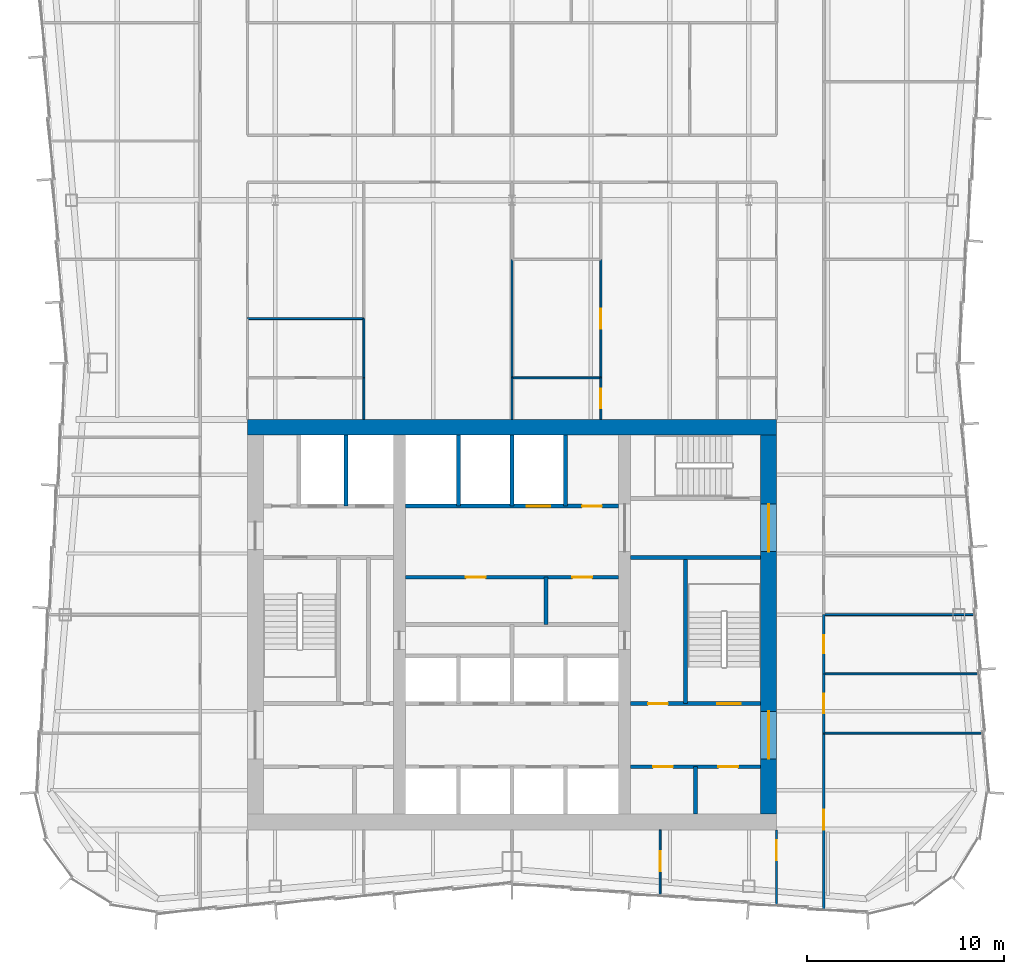
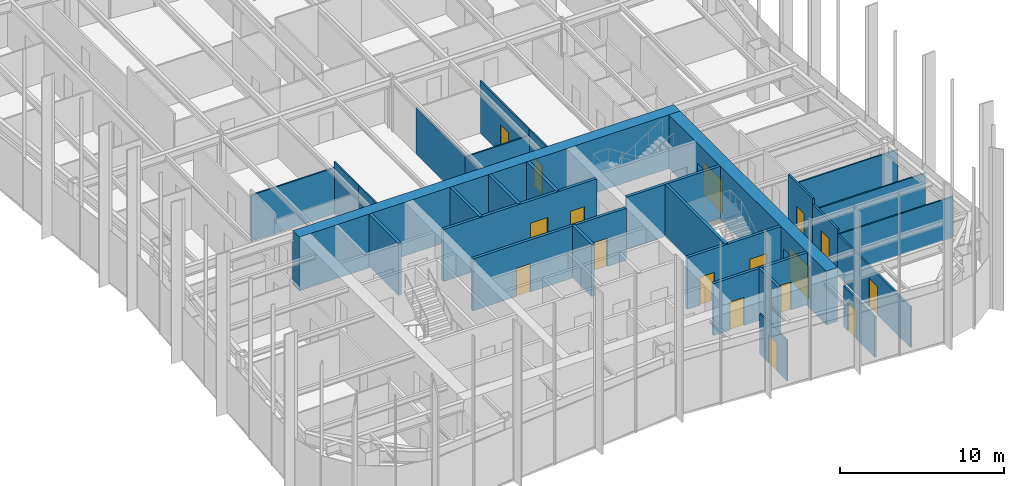
# One storey, part 12 of 15: 30 walls, 17 doors, 17 openings.
"""IFC4 building model written with IfcOpenShell, lengths in metres."""

from ifc_helpers import new_model, si_unit, direction, frame, frame_2d, origin, place, context, subcontext, project, spatial, rectangle, extrude, material, layer, layer_set, type_object, element, fill, save


model = new_model("IFC4")

# Units and contexts
model_context = context("Model", 3, precision=1e-05, world=origin(), true_north=direction((0.0, 1.0)))
body_context = subcontext(model_context, "Body", "Model", "MODEL_VIEW")
ifc_project = project(units=[si_unit("LENGTHUNIT", "METRE"), si_unit("AREAUNIT", "SQUARE_METRE"), si_unit("VOLUMEUNIT", "CUBIC_METRE"), si_unit("PLANEANGLEUNIT", "RADIAN"), si_unit("MASSUNIT", "GRAM", prefix="KILO")], contexts=[model_context])

# Site, building, storey
site_placement = place(None, origin())
site = spatial("IfcSite", under=ifc_project, at=site_placement, CompositionType="ELEMENT")
building_placement = place(site_placement, origin())
building = spatial("IfcBuilding", under=site, at=building_placement, Name="Verdant Reach Tower", CompositionType="ELEMENT")
storey_placement = place(building_placement, frame((0.0, 0.0, 262.0)))
storey = spatial("IfcBuildingStorey", under=building, at=storey_placement, Name="L60", CompositionType="ELEMENT", Elevation=262.0)

# Wall, openings, doors
ifc_material_1 = material(Name="Gypsum board on steel studs", Category="steel")
ifc_layer_1 = layer(ifc_material_1, 0.199951171875)
ifc_layer_set_1 = layer_set([ifc_layer_1], Name="CO-WALL-ROOM")
wall_type_1 = type_object("IfcWallType", Name="CO-WALL-ROOM", PredefinedType="PARTITIONING", material=ifc_layer_set_1)
wall_1_placement = place(storey_placement, frame((6.0, 20.800048828125, 0.0), z_axis=(0.0, 0.0, 1.0), x_axis=(1.0, 0.0, 0.0)))
wall_1 = element("IfcWall", 1, at=wall_1_placement, inside=storey, type_object=wall_type_1, Name="Core partition, L60", PredefinedType="PARTITIONING", context=body_context, shape_type="SweptSolid", body=[
    extrude(rectangle(XDim=6.60009765625, YDim=0.199951171875, at=frame_2d((3.300048828125, 0.0))), origin(), (0.0, 0.0, 1.0), 3.8701171875),
])
opening_1_placement = place(wall_1_placement, frame((1.14990234375, 0.0, 0.0)))
opening_1 = element("IfcOpeningElement", 2, at=opening_1_placement, cuts=wall_1, Name="Opening CD", PredefinedType="OPENING", context=body_context, shape_type="SweptSolid", body=[
    extrude(rectangle(XDim=1.0, YDim=2.10009765625, at=frame_2d((0.5, 1.050048828125))), frame((0.0, 0.10986328125, 0.0), z_axis=(0.0, -1.0, 0.0), x_axis=(1.0, 0.0, 0.0)), (0.0, 0.0, 1.0), 0.219970703125),
])
opening_2_placement = place(wall_1_placement, frame((4.449951171875, 0.0, 0.0)))
opening_2 = element("IfcOpeningElement", 3, at=opening_2_placement, cuts=wall_1, Name="Opening CD", PredefinedType="OPENING", context=body_context, shape_type="SweptSolid", body=[
    extrude(rectangle(XDim=1.0, YDim=2.10009765625, at=frame_2d((0.5, 1.050048828125))), frame((0.0, 0.10986328125, 0.0), z_axis=(0.0, -1.0, 0.0), x_axis=(1.0, 0.0, 0.0)), (0.0, 0.0, 1.0), 0.219970703125),
])
ifc_material_2 = material(Name="Timber", Category="wood")
door_type_1 = type_object("IfcDoorType", Name="CO-DOOR-ROOM", OperationType="NOTDEFINED", PredefinedType="DOOR", material=ifc_material_2)
door_1_placement = place(opening_1_placement, origin())
door_1 = element("IfcDoor", 4, at=door_1_placement, inside=storey, type_object=door_type_1, Name="Core room door, L60", OperationType="SINGLE_SWING_LEFT", OverallHeight=2.10009765625, OverallWidth=1.0, PredefinedType="DOOR", context=body_context, shape_type="SweptSolid", body=[
    extrude(rectangle(XDim=1.0, YDim=2.10009765625, at=frame_2d((0.5, 1.050048828125))), frame((0.0, 0.02490234375, 0.0), z_axis=(0.0, -1.0, 0.0), x_axis=(1.0, 0.0, 0.0)), (0.0, 0.0, 1.0), 0.050048828125),
])
fill(opening_1, door_1)
door_2_placement = place(opening_2_placement, origin())
door_2 = element("IfcDoor", 5, at=door_2_placement, inside=storey, type_object=door_type_1, Name="Core room door, L60", OperationType="SINGLE_SWING_LEFT", OverallHeight=2.10009765625, OverallWidth=1.0, PredefinedType="DOOR", context=body_context, shape_type="SweptSolid", body=[
    extrude(rectangle(XDim=1.0, YDim=2.10009765625, at=frame_2d((0.5, 1.050048828125))), frame((0.0, 0.02490234375, 0.0), z_axis=(0.0, -1.0, 0.0), x_axis=(1.0, 0.0, 0.0)), (0.0, 0.0, 1.0), 0.050048828125),
])
fill(opening_2, door_2)

wall_2_placement = place(storey_placement, frame((-5.39990234375, 30.39990234375, 0.0), z_axis=(0.0, 0.0, 1.0), x_axis=(1.0, 0.0, 0.0)))
wall_2 = element("IfcWall", 6, at=wall_2_placement, inside=storey, type_object=wall_type_1, Name="Core partition, L60", PredefinedType="PARTITIONING", context=body_context, shape_type="SweptSolid", body=[
    extrude(rectangle(XDim=10.7998046875, YDim=0.199951171875, at=frame_2d((5.39990234375, 0.0))), origin(), (0.0, 0.0, 1.0), 3.8701171875),
])
opening_3_placement = place(wall_2_placement, frame((3.06396484375, 0.0, 0.0)))
opening_3 = element("IfcOpeningElement", 7, at=opening_3_placement, cuts=wall_2, Name="Opening CD", PredefinedType="OPENING", context=body_context, shape_type="SweptSolid", body=[
    extrude(rectangle(XDim=1.0, YDim=2.10009765625, at=frame_2d((0.5, 1.050048828125))), frame((0.0, 0.10986328125, 0.0), z_axis=(0.0, -1.0, 0.0), x_axis=(1.0, 0.0, 0.0)), (0.0, 0.0, 1.0), 0.219970703125),
])
opening_4_placement = place(wall_2_placement, frame((8.464111328125, 0.0, 0.0)))
opening_4 = element("IfcOpeningElement", 8, at=opening_4_placement, cuts=wall_2, Name="Opening CD", PredefinedType="OPENING", context=body_context, shape_type="SweptSolid", body=[
    extrude(rectangle(XDim=1.0, YDim=2.10009765625, at=frame_2d((0.5, 1.050048828125))), frame((0.0, 0.10986328125, 0.0), z_axis=(0.0, -1.0, 0.0), x_axis=(1.0, 0.0, 0.0)), (0.0, 0.0, 1.0), 0.219970703125),
])
door_3_placement = place(opening_3_placement, origin())
door_3 = element("IfcDoor", 9, at=door_3_placement, inside=storey, type_object=door_type_1, Name="Core room door, L60", OperationType="SINGLE_SWING_RIGHT", OverallHeight=2.10009765625, OverallWidth=1.0, PredefinedType="DOOR", context=body_context, shape_type="SweptSolid", body=[
    extrude(rectangle(XDim=1.0, YDim=2.10009765625, at=frame_2d((0.5, 1.050048828125))), frame((0.0, 0.02490234375, 0.0), z_axis=(0.0, -1.0, 0.0), x_axis=(1.0, 0.0, 0.0)), (0.0, 0.0, 1.0), 0.050048828125),
])
fill(opening_3, door_3)
door_4_placement = place(opening_4_placement, origin())
door_4 = element("IfcDoor", 10, at=door_4_placement, inside=storey, type_object=door_type_1, Name="Core room door, L60", OperationType="SINGLE_SWING_LEFT", OverallHeight=2.10009765625, OverallWidth=1.0, PredefinedType="DOOR", context=body_context, shape_type="SweptSolid", body=[
    extrude(rectangle(XDim=1.0, YDim=2.10009765625, at=frame_2d((0.5, 1.050048828125))), frame((0.0, 0.02490234375, 0.0), z_axis=(0.0, -1.0, 0.0), x_axis=(1.0, 0.0, 0.0)), (0.0, 0.0, 1.0), 0.050048828125),
])
fill(opening_4, door_4)

# Walls
wall_3_placement = place(storey_placement, frame((1.72802734375, 28.0, 0.0), z_axis=(0.0, 0.0, 1.0), x_axis=(0.0, 1.0, 0.0)))
element("IfcWall", 11, at=wall_3_placement, inside=storey, type_object=wall_type_1, Name="Core partition, L60", PredefinedType="PARTITIONING", context=body_context, shape_type="SweptSolid", body=[
    extrude(rectangle(XDim=2.39990234375, YDim=0.199951171875, at=frame_2d((1.199951171875, 0.0))), origin(), (0.0, 0.0, 1.0), 3.8701171875),
])
wall_4_placement = place(storey_placement, frame((9.300048828125, 18.39990234375, 0.0), z_axis=(0.0, 0.0, 1.0), x_axis=(0.0, 1.0, 0.0)))
element("IfcWall", 12, at=wall_4_placement, inside=storey, type_object=wall_type_1, Name="Core partition, L60", PredefinedType="PARTITIONING", context=body_context, shape_type="SweptSolid", body=[
    extrude(rectangle(XDim=2.400146484375, YDim=0.199951171875, at=frame_2d((1.2001953125, 0.0))), origin(), (0.0, 0.0, 1.0), 3.8701171875),
])

# Wall, openings, doors
ifc_material_3 = material(Name="Concrete C40/50", Category="concrete")
ifc_layer_2 = layer(ifc_material_3, 0.199951171875)
ifc_layer_set_2 = layer_set([ifc_layer_2], Name="CO-WALL-SHAFT")
wall_type_2 = type_object("IfcWallType", Name="CO-WALL-SHAFT", PredefinedType="PARTITIONING", material=ifc_layer_set_2)
wall_5_placement = place(storey_placement, frame((-5.39990234375, 34.0, 0.0), z_axis=(0.0, 0.0, 1.0), x_axis=(1.0, 0.0, 0.0)))
wall_5 = element("IfcWall", 13, at=wall_5_placement, inside=storey, type_object=wall_type_2, Name="Lift shaft wall, L60", PredefinedType="PARTITIONING", context=body_context, shape_type="SweptSolid", body=[
    extrude(rectangle(XDim=10.7998046875, YDim=0.199951171875, at=frame_2d((5.39990234375, 0.0))), origin(), (0.0, 0.0, 1.0), 3.8701171875),
])
opening_5_placement = place(wall_5_placement, frame((6.14990234375, 0.0, 0.0)))
opening_5 = element("IfcOpeningElement", 14, at=opening_5_placement, cuts=wall_5, Name="Opening LD-SL1", PredefinedType="OPENING", context=body_context, shape_type="SweptSolid", body=[
    extrude(rectangle(XDim=1.199951171875, YDim=2.199951171875, at=frame_2d((0.60009765625, 1.10009765625))), frame((0.0, 0.10986328125, 0.0), z_axis=(0.0, -1.0, 0.0), x_axis=(1.0, 0.0, 0.0)), (0.0, 0.0, 1.0), 0.219970703125),
])
opening_6_placement = place(wall_5_placement, frame((8.949951171875, 0.0, 0.0)))
opening_6 = element("IfcOpeningElement", 15, at=opening_6_placement, cuts=wall_5, Name="Opening CD", PredefinedType="OPENING", context=body_context, shape_type="SweptSolid", body=[
    extrude(rectangle(XDim=1.0, YDim=2.10009765625, at=frame_2d((0.5, 1.050048828125))), frame((0.0, 0.10986328125, 0.0), z_axis=(0.0, -1.0, 0.0), x_axis=(1.0, 0.0, 0.0)), (0.0, 0.0, 1.0), 0.219970703125),
])
ifc_material_4 = material(Name="Stainless steel", Category="steel")
door_type_2 = type_object("IfcDoorType", Name="CO-DOOR-LANDING", OperationType="SLIDING_TO_LEFT", PredefinedType="DOOR", material=ifc_material_4)
door_5_placement = place(opening_5_placement, origin())
door_5 = element("IfcDoor", 16, at=door_5_placement, inside=storey, type_object=door_type_2, Name="Landing door SL1, L60", OperationType="SLIDING_TO_LEFT", OverallHeight=2.199951171875, OverallWidth=1.199951171875, PredefinedType="DOOR", context=body_context, shape_type="SweptSolid", body=[
    extrude(rectangle(XDim=1.199951171875, YDim=2.199951171875, at=frame_2d((0.60009765625, 1.10009765625))), frame((0.0, 0.02490234375, 0.0), z_axis=(0.0, -1.0, 0.0), x_axis=(1.0, 0.0, 0.0)), (0.0, 0.0, 1.0), 0.050048828125),
])
fill(opening_5, door_5)
door_6_placement = place(opening_6_placement, origin())
door_6 = element("IfcDoor", 17, at=door_6_placement, inside=storey, type_object=door_type_1, Name="Core room door, L60", OperationType="SINGLE_SWING_LEFT", OverallHeight=2.10009765625, OverallWidth=1.0, PredefinedType="DOOR", context=body_context, shape_type="SweptSolid", body=[
    extrude(rectangle(XDim=1.0, YDim=2.10009765625, at=frame_2d((0.5, 1.050048828125))), frame((0.0, 0.02490234375, 0.0), z_axis=(0.0, -1.0, 0.0), x_axis=(1.0, 0.0, 0.0)), (0.0, 0.0, 1.0), 0.050048828125),
])
fill(opening_6, door_6)

# Walls
for number, where, z_axis, x_axis, name in (
    (18, (-8.39990234375, 34.0, 0.0), (0.0, 0.0, 1.0), (0.0, 1.0, 0.0), "Lift shaft wall, L60"),
    (19, (-2.699951171875, 34.0, 0.0), (0.0, 0.0, 1.0), (0.0, 1.0, 0.0), "Lift shaft wall, L60"),
    (20, (0.0, 34.0, 0.0), (0.0, 0.0, 1.0), (0.0, 1.0, 0.0), "Lift shaft wall, L60"),
    (21, (2.699951171875, 34.0, 0.0), (0.0, 0.0, 1.0), (0.0, 1.0, 0.0), "Lift shaft wall, L60"),
):
    element("IfcWall", number, at=place(storey_placement, frame(where, z_axis=z_axis, x_axis=x_axis)), inside=storey, type_object=wall_type_2, Name=name, PredefinedType="PARTITIONING", context=body_context, shape_type="SweptSolid", body=[
        extrude(rectangle(XDim=3.60009765625, YDim=0.199951171875, at=frame_2d((1.800048828125, 0.0))), origin(), (0.0, 0.0, 1.0), 3.8701171875),
    ])

# Wall, openings, doors
ifc_layer_3 = layer(ifc_material_3, 0.199951171875)
ifc_layer_set_3 = layer_set([ifc_layer_3], Name="CO-WALL-STAIR")
wall_type_3 = type_object("IfcWallType", Name="CO-WALL-STAIR", PredefinedType="PARTITIONING", material=ifc_layer_set_3)
wall_6_placement = place(storey_placement, frame((6.0, 24.0, 0.0), z_axis=(0.0, 0.0, 1.0), x_axis=(1.0, 0.0, 0.0)))
wall_6 = element("IfcWall", 22, at=wall_6_placement, inside=storey, type_object=wall_type_3, Name="Stair enclosure wall, L60", PredefinedType="PARTITIONING", context=body_context, shape_type="SweptSolid", body=[
    extrude(rectangle(XDim=6.60009765625, YDim=0.199951171875, at=frame_2d((3.300048828125, 0.0))), origin(), (0.0, 0.0, 1.0), 3.8701171875),
])
opening_7_placement = place(wall_6_placement, frame((0.89990234375, 0.0, 0.0)))
opening_7 = element("IfcOpeningElement", 23, at=opening_7_placement, cuts=wall_6, Name="Opening CD", PredefinedType="OPENING", context=body_context, shape_type="SweptSolid", body=[
    extrude(rectangle(XDim=1.0, YDim=2.10009765625, at=frame_2d((0.5, 1.050048828125))), frame((0.0, 0.10986328125, 0.0), z_axis=(0.0, -1.0, 0.0), x_axis=(1.0, 0.0, 0.0)), (0.0, 0.0, 1.0), 0.219970703125),
])
opening_8_placement = place(wall_6_placement, frame((4.39990234375, 0.0, 0.0)))
opening_8 = element("IfcOpeningElement", 24, at=opening_8_placement, cuts=wall_6, Name="Opening SD", PredefinedType="OPENING", context=body_context, shape_type="SweptSolid", body=[
    extrude(rectangle(XDim=1.199951171875, YDim=2.199951171875, at=frame_2d((0.60009765625, 1.10009765625))), frame((0.0, 0.10986328125, 0.0), z_axis=(0.0, -1.0, 0.0), x_axis=(1.0, 0.0, 0.0)), (0.0, 0.0, 1.0), 0.219970703125),
])
door_7_placement = place(opening_7_placement, origin())
door_7 = element("IfcDoor", 25, at=door_7_placement, inside=storey, type_object=door_type_1, Name="Core room door, L60", OperationType="SINGLE_SWING_RIGHT", OverallHeight=2.10009765625, OverallWidth=1.0, PredefinedType="DOOR", context=body_context, shape_type="SweptSolid", body=[
    extrude(rectangle(XDim=1.0, YDim=2.10009765625, at=frame_2d((0.5, 1.050048828125))), frame((0.0, 0.02490234375, 0.0), z_axis=(0.0, -1.0, 0.0), x_axis=(1.0, 0.0, 0.0)), (0.0, 0.0, 1.0), 0.050048828125),
])
fill(opening_7, door_7)
ifc_material_5 = material(Name="Steel", Category="steel")
door_type_3 = type_object("IfcDoorType", Name="CO-DOOR-STAIR", OperationType="NOTDEFINED", PredefinedType="DOOR", material=ifc_material_5)
door_8_placement = place(opening_8_placement, origin())
door_8 = element("IfcDoor", 26, at=door_8_placement, inside=storey, type_object=door_type_3, Name="Stair door, L60", OperationType="SINGLE_SWING_LEFT", OverallHeight=2.199951171875, OverallWidth=1.199951171875, PredefinedType="DOOR", context=body_context, shape_type="SweptSolid", body=[
    extrude(rectangle(XDim=1.199951171875, YDim=2.199951171875, at=frame_2d((0.60009765625, 1.10009765625))), frame((0.0, 0.02490234375, 0.0), z_axis=(0.0, -1.0, 0.0), x_axis=(1.0, 0.0, 0.0)), (0.0, 0.0, 1.0), 0.050048828125),
])
fill(opening_8, door_8)

# Walls
wall_7_placement = place(storey_placement, frame((6.0, 31.39990234375, 0.0), z_axis=(0.0, 0.0, 1.0), x_axis=(1.0, 0.0, 0.0)))
element("IfcWall", 27, at=wall_7_placement, inside=storey, type_object=wall_type_3, Name="Stair enclosure wall, L60", PredefinedType="PARTITIONING", context=body_context, shape_type="SweptSolid", body=[
    extrude(rectangle(XDim=6.60009765625, YDim=0.199951171875, at=frame_2d((3.300048828125, 0.0))), origin(), (0.0, 0.0, 1.0), 3.8701171875),
])
wall_8_placement = place(storey_placement, frame((8.800048828125, 24.0, 0.0), z_axis=(0.0, 0.0, 1.0), x_axis=(0.0, 1.0, 0.0)))
element("IfcWall", 28, at=wall_8_placement, inside=storey, type_object=wall_type_3, Name="Stair enclosure wall, L60", PredefinedType="PARTITIONING", context=body_context, shape_type="SweptSolid", body=[
    extrude(rectangle(XDim=7.39990234375, YDim=0.199951171875, at=frame_2d((3.699951171875, 0.0))), origin(), (0.0, 0.0, 1.0), 3.8701171875),
])
ifc_layer_4 = layer(ifc_material_1, 0.10009765625)
ifc_layer_set_4 = layer_set([ifc_layer_4], Name="FL-W1 Partition 100")
wall_type_4 = type_object("IfcWallType", Name="FL-W1 Partition 100", PredefinedType="PARTITIONING", material=ifc_layer_set_4)
wall_9_placement = place(storey_placement, frame((23.873046875, 22.5, 0.0), z_axis=(0.0, 0.0, 1.0), x_axis=(-1.0, 0.0, 0.0)))
element("IfcWall", 29, at=wall_9_placement, inside=storey, type_object=wall_type_4, Name="Partition 60.49", PredefinedType="PARTITIONING", context=body_context, shape_type="SweptSolid", body=[
    extrude(rectangle(XDim=8.072998046875, YDim=0.10009765625, at=frame_2d((4.03662109375, 0.0))), origin(), (0.0, 0.0, 1.0), 3.0400390625),
])
wall_10_placement = place(storey_placement, frame((23.666259765625, 25.5, 0.0), z_axis=(0.0, 0.0, 1.0), x_axis=(-1.0, 0.0, 0.0)))
element("IfcWall", 30, at=wall_10_placement, inside=storey, type_object=wall_type_4, Name="Partition 60.50", PredefinedType="PARTITIONING", context=body_context, shape_type="SweptSolid", body=[
    extrude(rectangle(XDim=7.8662109375, YDim=0.10009765625, at=frame_2d((3.93310546875, 0.0))), origin(), (0.0, 0.0, 1.0), 3.0400390625),
])
wall_11_placement = place(storey_placement, frame((23.459228515625, 28.5, 0.0), z_axis=(0.0, 0.0, 1.0), x_axis=(-1.0, 0.0, 0.0)))
element("IfcWall", 31, at=wall_11_placement, inside=storey, type_object=wall_type_4, Name="Partition 60.51", PredefinedType="PARTITIONING", context=body_context, shape_type="SweptSolid", body=[
    extrude(rectangle(XDim=7.6591796875, YDim=0.10009765625, at=frame_2d((3.82958984375, 0.0))), origin(), (0.0, 0.0, 1.0), 3.0400390625),
])

# Wall, opening, door
wall_12_placement = place(storey_placement, frame((7.5, 14.294921875, 0.0), z_axis=(0.0, 0.0, 1.0), x_axis=(0.0, 1.0, 0.0)))
wall_12 = element("IfcWall", 32, at=wall_12_placement, inside=storey, type_object=wall_type_4, Name="Partition 60.58", PredefinedType="PARTITIONING", context=body_context, shape_type="SweptSolid", body=[
    extrude(rectangle(XDim=3.30517578125, YDim=0.10009765625, at=frame_2d((1.652587890625, 0.0))), origin(), (0.0, 0.0, 1.0), 3.0400390625),
])
opening_9_placement = place(wall_12_placement, frame((1.217529296875, 0.0, 0.0)))
opening_9 = element("IfcOpeningElement", 33, at=opening_9_placement, cuts=wall_12, Name="Opening D3", PredefinedType="OPENING", context=body_context, shape_type="SweptSolid", body=[
    extrude(rectangle(XDim=1.0, YDim=2.10009765625, at=frame_2d((0.5, 1.050048828125))), frame((0.0, 0.06005859375, 0.0), z_axis=(0.0, -1.0, 0.0), x_axis=(1.0, 0.0, 0.0)), (0.0, 0.0, 1.0), 0.1201171875),
])
ifc_material_6 = material(Name="Painted timber door leaf", Category="wood")
door_type_4 = type_object("IfcDoorType", Name="FL-D3 Door 1000x2100", OperationType="NOTDEFINED", PredefinedType="DOOR", material=ifc_material_6)
door_9_placement = place(opening_9_placement, origin())
door_9 = element("IfcDoor", 34, at=door_9_placement, inside=storey, type_object=door_type_4, Name="Door 60-032", OperationType="SINGLE_SWING_RIGHT", OverallHeight=2.10009765625, OverallWidth=1.0, PredefinedType="DOOR", context=body_context, shape_type="SweptSolid", body=[
    extrude(rectangle(XDim=1.0, YDim=2.10009765625, at=frame_2d((0.5, 1.050048828125))), frame((0.0, 0.02490234375, 0.0), z_axis=(0.0, -1.0, 0.0), x_axis=(1.0, 0.0, 0.0)), (0.0, 0.0, 1.0), 0.050048828125),
])
fill(opening_9, door_9)

# Walls
wall_13_placement = place(storey_placement, frame((-7.5, 38.39990234375, 0.0), z_axis=(0.0, 0.0, 1.0), x_axis=(0.0, 1.0, 0.0)))
element("IfcWall", 35, at=wall_13_placement, inside=storey, type_object=wall_type_4, Name="Partition 60.60", PredefinedType="PARTITIONING", context=body_context, shape_type="SweptSolid", body=[
    extrude(rectangle(XDim=2.10400390625, YDim=0.10009765625, at=frame_2d((1.052001953125, 0.0))), origin(), (0.0, 0.0, 1.0), 3.8701171875),
])
wall_14_placement = place(storey_placement, frame((-7.5, 43.5, 0.0), z_axis=(0.0, 0.0, 1.0), x_axis=(-1.0, 0.0, 0.0)))
element("IfcWall", 36, at=wall_14_placement, inside=storey, type_object=wall_type_4, Name="Partition 60.61", PredefinedType="PARTITIONING", context=body_context, shape_type="SweptSolid", body=[
    extrude(rectangle(XDim=5.89990234375, YDim=0.10009765625, at=frame_2d((2.949951171875, 0.0))), origin(), (0.0, 0.0, 1.0), 3.43994140625),
])
wall_15_placement = place(storey_placement, frame((-7.5, 40.49609375, 0.0), z_axis=(0.0, 0.0, 1.0), x_axis=(0.0, 1.0, 0.0)))
element("IfcWall", 37, at=wall_15_placement, inside=storey, type_object=wall_type_4, Name="Partition 60.62", PredefinedType="PARTITIONING", context=body_context, shape_type="SweptSolid", body=[
    extrude(rectangle(XDim=3.0078125, YDim=0.10009765625, at=frame_2d((1.50390625, 0.0))), origin(), (0.0, 0.0, 1.0), 3.8701171875),
])
wall_16_placement = place(storey_placement, frame((0.0, 38.39990234375, 0.0), z_axis=(0.0, 0.0, 1.0), x_axis=(0.0, 1.0, 0.0)))
element("IfcWall", 38, at=wall_16_placement, inside=storey, type_object=wall_type_4, Name="Partition 60.64", PredefinedType="PARTITIONING", context=body_context, shape_type="SweptSolid", body=[
    extrude(rectangle(XDim=2.10009765625, YDim=0.10009765625, at=frame_2d((1.050048828125, 0.0))), origin(), (0.0, 0.0, 1.0), 3.43994140625),
])
wall_17_placement = place(storey_placement, frame((0.0, 40.5, 0.0), z_axis=(0.0, 0.0, 1.0), x_axis=(0.0, 1.0, 0.0)))
element("IfcWall", 39, at=wall_17_placement, inside=storey, type_object=wall_type_4, Name="Partition 60.65", PredefinedType="PARTITIONING", context=body_context, shape_type="SweptSolid", body=[
    extrude(rectangle(XDim=6.0, YDim=0.10009765625, at=frame_2d((3.0, 0.0))), origin(), (0.0, 0.0, 1.0), 3.43994140625),
])

# Wall, opening, door
wall_18_placement = place(storey_placement, frame((4.5, 38.39990234375, 0.0), z_axis=(0.0, 0.0, 1.0), x_axis=(0.0, 1.0, 0.0)))
wall_18 = element("IfcWall", 40, at=wall_18_placement, inside=storey, type_object=wall_type_4, Name="Partition 60.74", PredefinedType="PARTITIONING", context=body_context, shape_type="SweptSolid", body=[
    extrude(rectangle(XDim=2.10009765625, YDim=0.10009765625, at=frame_2d((1.050048828125, 0.0))), origin(), (0.0, 0.0, 1.0), 3.8701171875),
])
opening_10_placement = place(wall_18_placement, frame((0.550048828125, 0.0, 0.0)))
opening_10 = element("IfcOpeningElement", 41, at=opening_10_placement, cuts=wall_18, Name="Opening D3", PredefinedType="OPENING", context=body_context, shape_type="SweptSolid", body=[
    extrude(rectangle(XDim=1.0, YDim=2.10009765625, at=frame_2d((0.5, 1.050048828125))), frame((0.0, 0.06005859375, 0.0), z_axis=(0.0, -1.0, 0.0), x_axis=(1.0, 0.0, 0.0)), (0.0, 0.0, 1.0), 0.1201171875),
])
door_10_placement = place(opening_10_placement, origin())
door_10 = element("IfcDoor", 42, at=door_10_placement, inside=storey, type_object=door_type_4, Name="Door 60-036", OperationType="SINGLE_SWING_RIGHT", OverallHeight=2.10009765625, OverallWidth=1.0, PredefinedType="DOOR", context=body_context, shape_type="SweptSolid", body=[
    extrude(rectangle(XDim=1.0, YDim=2.10009765625, at=frame_2d((0.5, 1.050048828125))), frame((0.0, 0.02490234375, 0.0), z_axis=(0.0, -1.0, 0.0), x_axis=(1.0, 0.0, 0.0)), (0.0, 0.0, 1.0), 0.050048828125),
])
fill(opening_10, door_10)

wall_19_placement = place(storey_placement, frame((4.5, 40.5, 0.0), z_axis=(0.0, 0.0, 1.0), x_axis=(0.0, 1.0, 0.0)))
wall_19 = element("IfcWall", 43, at=wall_19_placement, inside=storey, type_object=wall_type_4, Name="Partition 60.75", PredefinedType="PARTITIONING", context=body_context, shape_type="SweptSolid", body=[
    extrude(rectangle(XDim=6.0, YDim=0.10009765625, at=frame_2d((3.0, 0.0))), origin(), (0.0, 0.0, 1.0), 3.8701171875),
])
opening_11_placement = place(wall_19_placement, frame((2.5, 0.0, 0.0)))
opening_11 = element("IfcOpeningElement", 44, at=opening_11_placement, cuts=wall_19, Name="Opening D3", PredefinedType="OPENING", context=body_context, shape_type="SweptSolid", body=[
    extrude(rectangle(XDim=1.0, YDim=2.10009765625, at=frame_2d((0.5, 1.050048828125))), frame((0.0, 0.06005859375, 0.0), z_axis=(0.0, -1.0, 0.0), x_axis=(1.0, 0.0, 0.0)), (0.0, 0.0, 1.0), 0.1201171875),
])
door_11_placement = place(opening_11_placement, origin())
door_11 = element("IfcDoor", 45, at=door_11_placement, inside=storey, type_object=door_type_4, Name="Door 60-037", OperationType="SINGLE_SWING_LEFT", OverallHeight=2.10009765625, OverallWidth=1.0, PredefinedType="DOOR", context=body_context, shape_type="SweptSolid", body=[
    extrude(rectangle(XDim=1.0, YDim=2.10009765625, at=frame_2d((0.5, 1.050048828125))), frame((0.0, 0.02490234375, 0.0), z_axis=(0.0, -1.0, 0.0), x_axis=(1.0, 0.0, 0.0)), (0.0, 0.0, 1.0), 0.050048828125),
])
fill(opening_11, door_11)

# Wall
wall_20_placement = place(storey_placement, frame((4.5, 40.5, 0.0), z_axis=(0.0, 0.0, 1.0), x_axis=(-1.0, 0.0, 0.0)))
element("IfcWall", 46, at=wall_20_placement, inside=storey, type_object=wall_type_4, Name="Partition 60.77", PredefinedType="PARTITIONING", context=body_context, shape_type="SweptSolid", body=[
    extrude(rectangle(XDim=4.5, YDim=0.10009765625, at=frame_2d((2.25, 0.0))), origin(), (0.0, 0.0, 1.0), 3.43994140625),
])

# Wall, opening, door
ifc_material_7 = material(Name="Gypsum board on steel studs, fire rated", Category="steel")
ifc_layer_5 = layer(ifc_material_7, 0.125)
ifc_layer_set_5 = layer_set([ifc_layer_5], Name="FL-W2 Corridor wall 125")
wall_type_5 = type_object("IfcWallType", Name="FL-W2 Corridor wall 125", PredefinedType="PARTITIONING", material=ifc_layer_set_5)
wall_21_placement = place(storey_placement, frame((15.800048828125, 22.5, 0.0), z_axis=(0.0, 0.0, 1.0), x_axis=(0.0, -1.0, 0.0)))
wall_21 = element("IfcWall", 47, at=wall_21_placement, inside=storey, type_object=wall_type_5, Name="Partition 60.10", PredefinedType="PARTITIONING", context=body_context, shape_type="SweptSolid", body=[
    extrude(rectangle(XDim=8.896728515625, YDim=0.125, at=frame_2d((4.4482421875, 0.0))), origin(), (0.0, 0.0, 1.0), 3.0400390625),
])
opening_12_placement = place(wall_21_placement, frame((3.88330078125, 0.0, 0.0)))
opening_12 = element("IfcOpeningElement", 48, at=opening_12_placement, cuts=wall_21, Name="Opening D2", PredefinedType="OPENING", context=body_context, shape_type="SweptSolid", body=[
    extrude(rectangle(XDim=1.0, YDim=2.10009765625, at=frame_2d((0.5, 1.050048828125))), frame((0.0, 0.072509765625, 0.0), z_axis=(0.0, -1.0, 0.0), x_axis=(1.0, 0.0, 0.0)), (0.0, 0.0, 1.0), 0.14501953125),
])
ifc_material_8 = material(Name="Timber door leaf, fire rated", Category="wood")
door_type_5 = type_object("IfcDoorType", Name="FL-D2 Entrance door 1000x2100 FD30", OperationType="NOTDEFINED", PredefinedType="DOOR", material=ifc_material_8)
door_12_placement = place(opening_12_placement, origin())
door_12 = element("IfcDoor", 49, at=door_12_placement, inside=storey, type_object=door_type_5, Name="Door 60-010", OperationType="SINGLE_SWING_LEFT", OverallHeight=2.10009765625, OverallWidth=1.0, PredefinedType="DOOR", context=body_context, shape_type="SweptSolid", body=[
    extrude(rectangle(XDim=1.0, YDim=2.10009765625, at=frame_2d((0.5, 1.050048828125))), frame((0.0, 0.02490234375, 0.0), z_axis=(0.0, -1.0, 0.0), x_axis=(1.0, 0.0, 0.0)), (0.0, 0.0, 1.0), 0.050048828125),
])
fill(opening_12, door_12)

wall_22_placement = place(storey_placement, frame((15.800048828125, 25.5, 0.0), z_axis=(0.0, 0.0, 1.0), x_axis=(0.0, -1.0, 0.0)))
wall_22 = element("IfcWall", 50, at=wall_22_placement, inside=storey, type_object=wall_type_5, Name="Partition 60.11", PredefinedType="PARTITIONING", context=body_context, shape_type="SweptSolid", body=[
    extrude(rectangle(XDim=3.0, YDim=0.125, at=frame_2d((1.5, 0.0))), origin(), (0.0, 0.0, 1.0), 3.43994140625),
])
opening_13_placement = place(wall_22_placement, frame((1.0, 0.0, 0.0)))
opening_13 = element("IfcOpeningElement", 51, at=opening_13_placement, cuts=wall_22, Name="Opening D2", PredefinedType="OPENING", context=body_context, shape_type="SweptSolid", body=[
    extrude(rectangle(XDim=1.0, YDim=2.10009765625, at=frame_2d((0.5, 1.050048828125))), frame((0.0, 0.072509765625, 0.0), z_axis=(0.0, -1.0, 0.0), x_axis=(1.0, 0.0, 0.0)), (0.0, 0.0, 1.0), 0.14501953125),
])
door_13_placement = place(opening_13_placement, origin())
door_13 = element("IfcDoor", 52, at=door_13_placement, inside=storey, type_object=door_type_5, Name="Door 60-011", OperationType="SINGLE_SWING_LEFT", OverallHeight=2.10009765625, OverallWidth=1.0, PredefinedType="DOOR", context=body_context, shape_type="SweptSolid", body=[
    extrude(rectangle(XDim=1.0, YDim=2.10009765625, at=frame_2d((0.5, 1.050048828125))), frame((0.0, 0.02490234375, 0.0), z_axis=(0.0, -1.0, 0.0), x_axis=(1.0, 0.0, 0.0)), (0.0, 0.0, 1.0), 0.050048828125),
])
fill(opening_13, door_13)

wall_23_placement = place(storey_placement, frame((15.800048828125, 28.5, 0.0), z_axis=(0.0, 0.0, 1.0), x_axis=(0.0, -1.0, 0.0)))
wall_23 = element("IfcWall", 53, at=wall_23_placement, inside=storey, type_object=wall_type_5, Name="Partition 60.12", PredefinedType="PARTITIONING", context=body_context, shape_type="SweptSolid", body=[
    extrude(rectangle(XDim=3.0, YDim=0.125, at=frame_2d((1.5, 0.0))), origin(), (0.0, 0.0, 1.0), 3.8701171875),
])
opening_14_placement = place(wall_23_placement, frame((1.050048828125, 0.0, 0.0)))
opening_14 = element("IfcOpeningElement", 54, at=opening_14_placement, cuts=wall_23, Name="Opening D1", PredefinedType="OPENING", context=body_context, shape_type="SweptSolid", body=[
    extrude(rectangle(XDim=0.89990234375, YDim=2.10009765625, at=frame_2d((0.449951171875, 1.050048828125))), frame((0.0, 0.072509765625, 0.0), z_axis=(0.0, -1.0, 0.0), x_axis=(1.0, 0.0, 0.0)), (0.0, 0.0, 1.0), 0.14501953125),
])
door_type_6 = type_object("IfcDoorType", Name="FL-D1 Door 900x2100", OperationType="NOTDEFINED", PredefinedType="DOOR", material=ifc_material_6)
door_14_placement = place(opening_14_placement, origin())
door_14 = element("IfcDoor", 55, at=door_14_placement, inside=storey, type_object=door_type_6, Name="Door 60-012", OperationType="SINGLE_SWING_RIGHT", OverallHeight=2.10009765625, OverallWidth=0.89990234375, PredefinedType="DOOR", context=body_context, shape_type="SweptSolid", body=[
    extrude(rectangle(XDim=0.89990234375, YDim=2.10009765625, at=frame_2d((0.449951171875, 1.050048828125))), frame((0.0, 0.02490234375, 0.0), z_axis=(0.0, -1.0, 0.0), x_axis=(1.0, 0.0, 0.0)), (0.0, 0.0, 1.0), 0.050048828125),
])
fill(opening_14, door_14)

wall_24_placement = place(storey_placement, frame((13.39990234375, 13.80322265625, 0.0), z_axis=(0.0, 0.0, 1.0), x_axis=(0.0, 1.0, 0.0)))
wall_24 = element("IfcWall", 56, at=wall_24_placement, inside=storey, type_object=wall_type_5, Name="Partition 60.19", PredefinedType="PARTITIONING", context=body_context, shape_type="SweptSolid", body=[
    extrude(rectangle(XDim=3.796875, YDim=0.125, at=frame_2d((1.8984375, 0.0))), origin(), (0.0, 0.0, 1.0), 3.0400390625),
])
opening_15_placement = place(wall_24_placement, frame((2.263427734375, 0.0, 0.0)))
opening_15 = element("IfcOpeningElement", 57, at=opening_15_placement, cuts=wall_24, Name="Opening D2", PredefinedType="OPENING", context=body_context, shape_type="SweptSolid", body=[
    extrude(rectangle(XDim=1.0, YDim=2.10009765625, at=frame_2d((0.5, 1.050048828125))), frame((0.0, 0.072509765625, 0.0), z_axis=(0.0, -1.0, 0.0), x_axis=(1.0, 0.0, 0.0)), (0.0, 0.0, 1.0), 0.14501953125),
])
door_15_placement = place(opening_15_placement, origin())
door_15 = element("IfcDoor", 58, at=door_15_placement, inside=storey, type_object=door_type_5, Name="Door 60-019", OperationType="SINGLE_SWING_RIGHT", OverallHeight=2.10009765625, OverallWidth=1.0, PredefinedType="DOOR", context=body_context, shape_type="SweptSolid", body=[
    extrude(rectangle(XDim=1.0, YDim=2.10009765625, at=frame_2d((0.5, 1.050048828125))), frame((0.0, 0.02490234375, 0.0), z_axis=(0.0, -1.0, 0.0), x_axis=(1.0, 0.0, 0.0)), (0.0, 0.0, 1.0), 0.050048828125),
])
fill(opening_15, door_15)

# Wall
ifc_material_9 = material(Name="Concrete C70/85", Category="concrete")
ifc_layer_6 = layer(ifc_material_9, 0.800048828125)
ifc_layer_set_6 = layer_set([ifc_layer_6], Name="ST-CORE-WALL-800")
wall_type_6 = type_object("IfcWallType", Name="ST-CORE-WALL-800", PredefinedType="SHEAR", material=ifc_layer_set_6)
wall_25_placement = place(storey_placement, frame((-13.39990234375, 38.0, -0.1298828125), z_axis=(0.0, 0.0, 1.0), x_axis=(1.0, 0.0, 0.0)))
element("IfcWall", 59, at=wall_25_placement, inside=storey, type_object=wall_type_6, Name="Core wall N, L60", PredefinedType="SHEAR", context=body_context, shape_type="SweptSolid", body=[
    extrude(rectangle(XDim=26.7998046875, YDim=0.800048828125, at=frame_2d((13.39990234375, 0.0))), origin(), (0.0, 0.0, 1.0), 4.0),
])

# Wall, openings, doors
wall_26_placement = place(storey_placement, frame((13.0, 18.39990234375, -0.1298828125), z_axis=(0.0, 0.0, 1.0), x_axis=(0.0, 1.0, 0.0)))
wall_26 = element("IfcWall", 60, at=wall_26_placement, inside=storey, type_object=wall_type_6, Name="Core wall E, L60", PredefinedType="SHEAR", context=body_context, shape_type="SweptSolid", body=[
    extrude(rectangle(XDim=19.2001953125, YDim=0.800048828125, at=frame_2d((9.60009765625, 0.0))), origin(), (0.0, 0.0, 1.0), 4.0),
])
opening_16_placement = place(wall_26_placement, frame((2.800048828125, 0.0, 0.1298828125)))
opening_16 = element("IfcOpeningElement", 61, at=opening_16_placement, cuts=wall_26, Name="Opening LB", PredefinedType="OPENING", context=body_context, shape_type="SweptSolid", body=[
    extrude(rectangle(XDim=2.39990234375, YDim=2.39990234375, at=frame_2d((1.199951171875, 1.199951171875))), frame((0.0, 0.409912109375, 0.0), z_axis=(0.0, -1.0, 0.0), x_axis=(1.0, 0.0, 0.0)), (0.0, 0.0, 1.0), 0.820068359375),
])
opening_17_placement = place(wall_26_placement, frame((13.300048828125, 0.0, 0.1298828125)))
opening_17 = element("IfcOpeningElement", 62, at=opening_17_placement, cuts=wall_26, Name="Opening LB", PredefinedType="OPENING", context=body_context, shape_type="SweptSolid", body=[
    extrude(rectangle(XDim=2.39990234375, YDim=2.39990234375, at=frame_2d((1.199951171875, 1.199951171875))), frame((0.0, 0.409912109375, 0.0), z_axis=(0.0, -1.0, 0.0), x_axis=(1.0, 0.0, 0.0)), (0.0, 0.0, 1.0), 0.820068359375),
])
ifc_material_10 = material(Name="Glass and steel", Category="steel")
door_type_7 = type_object("IfcDoorType", Name="CO-DOOR-LOBBY", OperationType="DOUBLE_DOOR_SINGLE_SWING", PredefinedType="DOOR", material=ifc_material_10)
door_16_placement = place(opening_16_placement, origin())
door_16 = element("IfcDoor", 63, at=door_16_placement, inside=storey, type_object=door_type_7, Name="Core entrance door, L60", OperationType="DOUBLE_DOOR_SINGLE_SWING", OverallHeight=2.39990234375, OverallWidth=2.39990234375, PredefinedType="DOOR", context=body_context, shape_type="SweptSolid", body=[
    extrude(rectangle(XDim=2.39990234375, YDim=2.39990234375, at=frame_2d((1.199951171875, 1.199951171875))), frame((0.0, 0.02490234375, 0.0), z_axis=(0.0, -1.0, 0.0), x_axis=(1.0, 0.0, 0.0)), (0.0, 0.0, 1.0), 0.050048828125),
])
fill(opening_16, door_16)
door_17_placement = place(opening_17_placement, origin())
door_17 = element("IfcDoor", 64, at=door_17_placement, inside=storey, type_object=door_type_7, Name="Core entrance door, L60", OperationType="DOUBLE_DOOR_SINGLE_SWING", OverallHeight=2.39990234375, OverallWidth=2.39990234375, PredefinedType="DOOR", context=body_context, shape_type="SweptSolid", body=[
    extrude(rectangle(XDim=2.39990234375, YDim=2.39990234375, at=frame_2d((1.199951171875, 1.199951171875))), frame((0.0, 0.02490234375, 0.0), z_axis=(0.0, -1.0, 0.0), x_axis=(1.0, 0.0, 0.0)), (0.0, 0.0, 1.0), 0.050048828125),
])
fill(opening_17, door_17)

save(model, "model.ifc")
